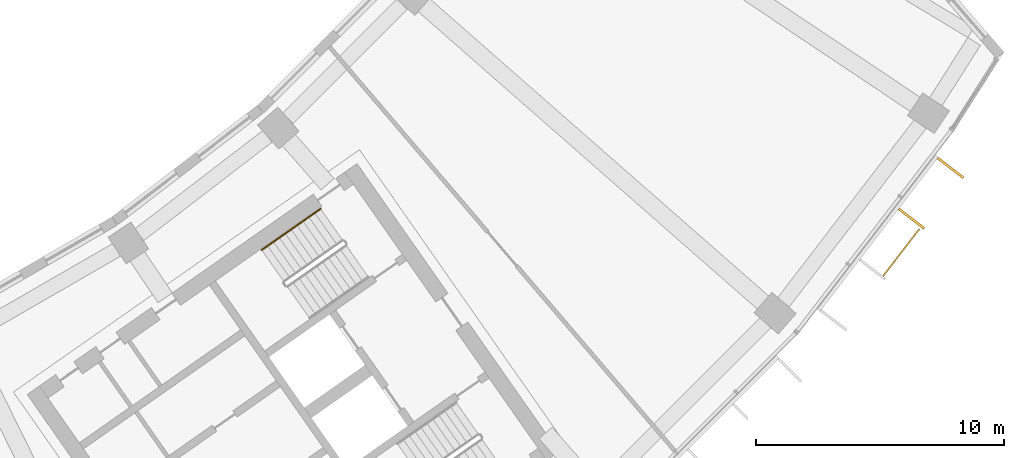
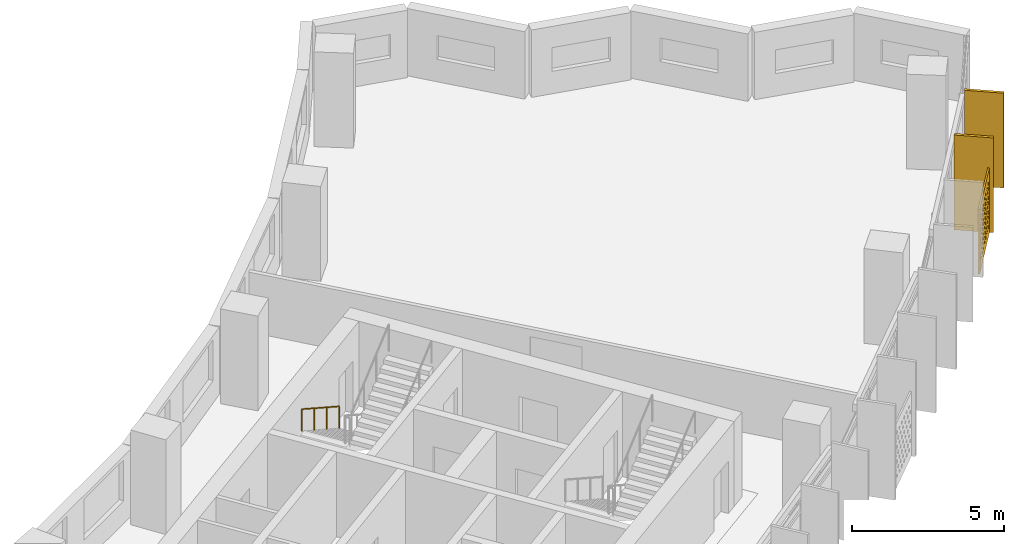
# One storey, part 27 of 27: 3 shading devices, 1 railing.
"""IFC4 building model written with IfcOpenShell, lengths in metres."""

from ifc_helpers import new_model, si_unit, direction, frame, origin, origin_2d, place, context, subcontext, project, spatial, polyline, rectangle, circle, outline, extrude, material, material_profile, profile_set, type_object, element, save


model = new_model("IFC4")

# Units and contexts
model_context = context("Model", 3, precision=1e-05, world=origin(), true_north=direction((0.0, 1.0)))
body_context = subcontext(model_context, "Body", "Model", "MODEL_VIEW")
ifc_project = project(units=[si_unit("LENGTHUNIT", "METRE"), si_unit("AREAUNIT", "SQUARE_METRE"), si_unit("VOLUMEUNIT", "CUBIC_METRE"), si_unit("PLANEANGLEUNIT", "RADIAN"), si_unit("MASSUNIT", "GRAM", prefix="KILO")], contexts=[model_context])

# Site, building, storey
site_placement = place(None, origin())
site = spatial("IfcSite", under=ifc_project, at=site_placement, CompositionType="ELEMENT")
building_placement = place(site_placement, origin())
building = spatial("IfcBuilding", under=site, at=building_placement, Name="Qamariyya Broadcast Tower", CompositionType="ELEMENT")
storey_placement = place(building_placement, frame((0.0, 0.0, 194.89990234375)))
storey = spatial("IfcBuildingStorey", under=building, at=storey_placement, Name="L46", CompositionType="ELEMENT", Elevation=194.89990234375)

# Shading device
ifc_material_1 = material(Name="Perforated glazed terracotta", Category="masonry")
ifc_material_profile_1 = material_profile(ifc_material_1, outline(polyline([(-1.199951171875, -1.300048828125), (1.199951171875, -1.300048828125), (1.199951171875, 1.300048828125), (-1.199951171875, 1.300048828125), (-1.199951171875, -1.300048828125)]), holes=[polyline([(-0.81494140625, -0.86669921875), (-0.89990234375, -0.78173828125), (-0.985107421875, -0.86669921875), (-0.89990234375, -0.95166015625), (-0.81494140625, -0.86669921875)]), polyline([(-0.514892578125, -0.86669921875), (-0.60009765625, -0.78173828125), (-0.68505859375, -0.86669921875), (-0.60009765625, -0.95166015625), (-0.514892578125, -0.86669921875)]), polyline([(-0.215087890625, -0.86669921875), (-0.300048828125, -0.78173828125), (-0.385009765625, -0.86669921875), (-0.300048828125, -0.95166015625), (-0.215087890625, -0.86669921875)]), polyline([(0.0849609375, -0.86669921875), (0.0, -0.78173828125), (-0.0849609375, -0.86669921875), (0.0, -0.95166015625), (0.0849609375, -0.86669921875)]), polyline([(0.385009765625, -0.86669921875), (0.300048828125, -0.78173828125), (0.215087890625, -0.86669921875), (0.300048828125, -0.95166015625), (0.385009765625, -0.86669921875)]), polyline([(0.68505859375, -0.86669921875), (0.60009765625, -0.78173828125), (0.514892578125, -0.86669921875), (0.60009765625, -0.95166015625), (0.68505859375, -0.86669921875)]), polyline([(0.985107421875, -0.86669921875), (0.89990234375, -0.78173828125), (0.81494140625, -0.86669921875), (0.89990234375, -0.95166015625), (0.985107421875, -0.86669921875)]), polyline([(-0.965087890625, -0.577880859375), (-1.050048828125, -0.49267578125), (-1.135009765625, -0.577880859375), (-1.050048828125, -0.662841796875), (-0.965087890625, -0.577880859375)]), polyline([(-0.6650390625, -0.577880859375), (-0.75, -0.49267578125), (-0.8349609375, -0.577880859375), (-0.75, -0.662841796875), (-0.6650390625, -0.577880859375)]), polyline([(-0.364990234375, -0.577880859375), (-0.449951171875, -0.49267578125), (-0.534912109375, -0.577880859375), (-0.449951171875, -0.662841796875), (-0.364990234375, -0.577880859375)]), polyline([(-0.06494140625, -0.577880859375), (-0.14990234375, -0.49267578125), (-0.235107421875, -0.577880859375), (-0.14990234375, -0.662841796875), (-0.06494140625, -0.577880859375)]), polyline([(0.235107421875, -0.577880859375), (0.14990234375, -0.49267578125), (0.06494140625, -0.577880859375), (0.14990234375, -0.662841796875), (0.235107421875, -0.577880859375)]), polyline([(0.534912109375, -0.577880859375), (0.449951171875, -0.49267578125), (0.364990234375, -0.577880859375), (0.449951171875, -0.662841796875), (0.534912109375, -0.577880859375)]), polyline([(0.8349609375, -0.577880859375), (0.75, -0.49267578125), (0.6650390625, -0.577880859375), (0.75, -0.662841796875), (0.8349609375, -0.577880859375)]), polyline([(1.135009765625, -0.577880859375), (1.050048828125, -0.49267578125), (0.965087890625, -0.577880859375), (1.050048828125, -0.662841796875), (1.135009765625, -0.577880859375)]), polyline([(-0.81494140625, -0.288818359375), (-0.89990234375, -0.203857421875), (-0.985107421875, -0.288818359375), (-0.89990234375, -0.373779296875), (-0.81494140625, -0.288818359375)]), polyline([(-0.514892578125, -0.288818359375), (-0.60009765625, -0.203857421875), (-0.68505859375, -0.288818359375), (-0.60009765625, -0.373779296875), (-0.514892578125, -0.288818359375)]), polyline([(-0.215087890625, -0.288818359375), (-0.300048828125, -0.203857421875), (-0.385009765625, -0.288818359375), (-0.300048828125, -0.373779296875), (-0.215087890625, -0.288818359375)]), polyline([(0.0849609375, -0.288818359375), (0.0, -0.203857421875), (-0.0849609375, -0.288818359375), (0.0, -0.373779296875), (0.0849609375, -0.288818359375)]), polyline([(0.385009765625, -0.288818359375), (0.300048828125, -0.203857421875), (0.215087890625, -0.288818359375), (0.300048828125, -0.373779296875), (0.385009765625, -0.288818359375)]), polyline([(0.68505859375, -0.288818359375), (0.60009765625, -0.203857421875), (0.514892578125, -0.288818359375), (0.60009765625, -0.373779296875), (0.68505859375, -0.288818359375)]), polyline([(0.985107421875, -0.288818359375), (0.89990234375, -0.203857421875), (0.81494140625, -0.288818359375), (0.89990234375, -0.373779296875), (0.985107421875, -0.288818359375)]), polyline([(-0.965087890625, 0.0), (-1.050048828125, 0.0849609375), (-1.135009765625, 0.0), (-1.050048828125, -0.0849609375), (-0.965087890625, 0.0)]), polyline([(-0.6650390625, 0.0), (-0.75, 0.0849609375), (-0.8349609375, 0.0), (-0.75, -0.0849609375), (-0.6650390625, 0.0)]), polyline([(-0.364990234375, 0.0), (-0.449951171875, 0.0849609375), (-0.534912109375, 0.0), (-0.449951171875, -0.0849609375), (-0.364990234375, 0.0)]), polyline([(-0.06494140625, 0.0), (-0.14990234375, 0.0849609375), (-0.235107421875, 0.0), (-0.14990234375, -0.0849609375), (-0.06494140625, 0.0)]), polyline([(0.235107421875, 0.0), (0.14990234375, 0.0849609375), (0.06494140625, 0.0), (0.14990234375, -0.0849609375), (0.235107421875, 0.0)]), polyline([(0.534912109375, 0.0), (0.449951171875, 0.0849609375), (0.364990234375, 0.0), (0.449951171875, -0.0849609375), (0.534912109375, 0.0)]), polyline([(0.8349609375, 0.0), (0.75, 0.0849609375), (0.6650390625, 0.0), (0.75, -0.0849609375), (0.8349609375, 0.0)]), polyline([(1.135009765625, 0.0), (1.050048828125, 0.0849609375), (0.965087890625, 0.0), (1.050048828125, -0.0849609375), (1.135009765625, 0.0)]), polyline([(-0.81494140625, 0.288818359375), (-0.89990234375, 0.373779296875), (-0.985107421875, 0.288818359375), (-0.89990234375, 0.203857421875), (-0.81494140625, 0.288818359375)]), polyline([(-0.514892578125, 0.288818359375), (-0.60009765625, 0.373779296875), (-0.68505859375, 0.288818359375), (-0.60009765625, 0.203857421875), (-0.514892578125, 0.288818359375)]), polyline([(-0.215087890625, 0.288818359375), (-0.300048828125, 0.373779296875), (-0.385009765625, 0.288818359375), (-0.300048828125, 0.203857421875), (-0.215087890625, 0.288818359375)]), polyline([(0.0849609375, 0.288818359375), (0.0, 0.373779296875), (-0.0849609375, 0.288818359375), (0.0, 0.203857421875), (0.0849609375, 0.288818359375)]), polyline([(0.385009765625, 0.288818359375), (0.300048828125, 0.373779296875), (0.215087890625, 0.288818359375), (0.300048828125, 0.203857421875), (0.385009765625, 0.288818359375)]), polyline([(0.68505859375, 0.288818359375), (0.60009765625, 0.373779296875), (0.514892578125, 0.288818359375), (0.60009765625, 0.203857421875), (0.68505859375, 0.288818359375)]), polyline([(0.985107421875, 0.288818359375), (0.89990234375, 0.373779296875), (0.81494140625, 0.288818359375), (0.89990234375, 0.203857421875), (0.985107421875, 0.288818359375)]), polyline([(-0.965087890625, 0.577880859375), (-1.050048828125, 0.662841796875), (-1.135009765625, 0.577880859375), (-1.050048828125, 0.49267578125), (-0.965087890625, 0.577880859375)]), polyline([(-0.6650390625, 0.577880859375), (-0.75, 0.662841796875), (-0.8349609375, 0.577880859375), (-0.75, 0.49267578125), (-0.6650390625, 0.577880859375)]), polyline([(-0.364990234375, 0.577880859375), (-0.449951171875, 0.662841796875), (-0.534912109375, 0.577880859375), (-0.449951171875, 0.49267578125), (-0.364990234375, 0.577880859375)]), polyline([(-0.06494140625, 0.577880859375), (-0.14990234375, 0.662841796875), (-0.235107421875, 0.577880859375), (-0.14990234375, 0.49267578125), (-0.06494140625, 0.577880859375)]), polyline([(0.235107421875, 0.577880859375), (0.14990234375, 0.662841796875), (0.06494140625, 0.577880859375), (0.14990234375, 0.49267578125), (0.235107421875, 0.577880859375)]), polyline([(0.534912109375, 0.577880859375), (0.449951171875, 0.662841796875), (0.364990234375, 0.577880859375), (0.449951171875, 0.49267578125), (0.534912109375, 0.577880859375)]), polyline([(0.8349609375, 0.577880859375), (0.75, 0.662841796875), (0.6650390625, 0.577880859375), (0.75, 0.49267578125), (0.8349609375, 0.577880859375)]), polyline([(1.135009765625, 0.577880859375), (1.050048828125, 0.662841796875), (0.965087890625, 0.577880859375), (1.050048828125, 0.49267578125), (1.135009765625, 0.577880859375)]), polyline([(-0.81494140625, 0.86669921875), (-0.89990234375, 0.95166015625), (-0.985107421875, 0.86669921875), (-0.89990234375, 0.78173828125), (-0.81494140625, 0.86669921875)]), polyline([(-0.514892578125, 0.86669921875), (-0.60009765625, 0.95166015625), (-0.68505859375, 0.86669921875), (-0.60009765625, 0.78173828125), (-0.514892578125, 0.86669921875)]), polyline([(-0.215087890625, 0.86669921875), (-0.300048828125, 0.95166015625), (-0.385009765625, 0.86669921875), (-0.300048828125, 0.78173828125), (-0.215087890625, 0.86669921875)]), polyline([(0.0849609375, 0.86669921875), (0.0, 0.95166015625), (-0.0849609375, 0.86669921875), (0.0, 0.78173828125), (0.0849609375, 0.86669921875)]), polyline([(0.385009765625, 0.86669921875), (0.300048828125, 0.95166015625), (0.215087890625, 0.86669921875), (0.300048828125, 0.78173828125), (0.385009765625, 0.86669921875)]), polyline([(0.68505859375, 0.86669921875), (0.60009765625, 0.95166015625), (0.514892578125, 0.86669921875), (0.60009765625, 0.78173828125), (0.68505859375, 0.86669921875)]), polyline([(0.985107421875, 0.86669921875), (0.89990234375, 0.95166015625), (0.81494140625, 0.86669921875), (0.89990234375, 0.78173828125), (0.985107421875, 0.86669921875)])]))
ifc_profile_set_1 = profile_set([ifc_material_profile_1], Name="Perforated glazed terracotta")
shading_device_type_1 = type_object("IfcShadingDeviceType", Name="Perforated terracotta screen 2400 x 2600", PredefinedType="USERDEFINED", material=ifc_profile_set_1)
shading_device_placement = place(storey_placement, frame((63.52294921875, -48.79541015625, 1.35009765625), z_axis=(0.792623989105, -0.60971076085, 0.0), x_axis=(0.60971076085, 0.792623989105, 0.0)))
element("IfcShadingDevice", 1, at=shading_device_placement, inside=storey, type_object=shading_device_type_1, Name="e-scr-L46-14-1", ObjectType="SCREEN", PredefinedType="USERDEFINED", context=body_context, shape_type="SweptSolid", body=[
    extrude(outline(polyline([(-1.199951171875, -1.300048828125), (1.199951171875, -1.300048828125), (1.199951171875, 1.300048828125), (-1.199951171875, 1.300048828125), (-1.199951171875, -1.300048828125)]), holes=[polyline([(-0.81494140625, -0.86669921875), (-0.89990234375, -0.78173828125), (-0.985107421875, -0.86669921875), (-0.89990234375, -0.95166015625), (-0.81494140625, -0.86669921875)]), polyline([(-0.514892578125, -0.86669921875), (-0.60009765625, -0.78173828125), (-0.68505859375, -0.86669921875), (-0.60009765625, -0.95166015625), (-0.514892578125, -0.86669921875)]), polyline([(-0.215087890625, -0.86669921875), (-0.300048828125, -0.78173828125), (-0.385009765625, -0.86669921875), (-0.300048828125, -0.95166015625), (-0.215087890625, -0.86669921875)]), polyline([(0.0849609375, -0.86669921875), (0.0, -0.78173828125), (-0.0849609375, -0.86669921875), (0.0, -0.95166015625), (0.0849609375, -0.86669921875)]), polyline([(0.385009765625, -0.86669921875), (0.300048828125, -0.78173828125), (0.215087890625, -0.86669921875), (0.300048828125, -0.95166015625), (0.385009765625, -0.86669921875)]), polyline([(0.68505859375, -0.86669921875), (0.60009765625, -0.78173828125), (0.514892578125, -0.86669921875), (0.60009765625, -0.95166015625), (0.68505859375, -0.86669921875)]), polyline([(0.985107421875, -0.86669921875), (0.89990234375, -0.78173828125), (0.81494140625, -0.86669921875), (0.89990234375, -0.95166015625), (0.985107421875, -0.86669921875)]), polyline([(-0.965087890625, -0.577880859375), (-1.050048828125, -0.49267578125), (-1.135009765625, -0.577880859375), (-1.050048828125, -0.662841796875), (-0.965087890625, -0.577880859375)]), polyline([(-0.6650390625, -0.577880859375), (-0.75, -0.49267578125), (-0.8349609375, -0.577880859375), (-0.75, -0.662841796875), (-0.6650390625, -0.577880859375)]), polyline([(-0.364990234375, -0.577880859375), (-0.449951171875, -0.49267578125), (-0.534912109375, -0.577880859375), (-0.449951171875, -0.662841796875), (-0.364990234375, -0.577880859375)]), polyline([(-0.06494140625, -0.577880859375), (-0.14990234375, -0.49267578125), (-0.235107421875, -0.577880859375), (-0.14990234375, -0.662841796875), (-0.06494140625, -0.577880859375)]), polyline([(0.235107421875, -0.577880859375), (0.14990234375, -0.49267578125), (0.06494140625, -0.577880859375), (0.14990234375, -0.662841796875), (0.235107421875, -0.577880859375)]), polyline([(0.534912109375, -0.577880859375), (0.449951171875, -0.49267578125), (0.364990234375, -0.577880859375), (0.449951171875, -0.662841796875), (0.534912109375, -0.577880859375)]), polyline([(0.8349609375, -0.577880859375), (0.75, -0.49267578125), (0.6650390625, -0.577880859375), (0.75, -0.662841796875), (0.8349609375, -0.577880859375)]), polyline([(1.135009765625, -0.577880859375), (1.050048828125, -0.49267578125), (0.965087890625, -0.577880859375), (1.050048828125, -0.662841796875), (1.135009765625, -0.577880859375)]), polyline([(-0.81494140625, -0.288818359375), (-0.89990234375, -0.203857421875), (-0.985107421875, -0.288818359375), (-0.89990234375, -0.373779296875), (-0.81494140625, -0.288818359375)]), polyline([(-0.514892578125, -0.288818359375), (-0.60009765625, -0.203857421875), (-0.68505859375, -0.288818359375), (-0.60009765625, -0.373779296875), (-0.514892578125, -0.288818359375)]), polyline([(-0.215087890625, -0.288818359375), (-0.300048828125, -0.203857421875), (-0.385009765625, -0.288818359375), (-0.300048828125, -0.373779296875), (-0.215087890625, -0.288818359375)]), polyline([(0.0849609375, -0.288818359375), (0.0, -0.203857421875), (-0.0849609375, -0.288818359375), (0.0, -0.373779296875), (0.0849609375, -0.288818359375)]), polyline([(0.385009765625, -0.288818359375), (0.300048828125, -0.203857421875), (0.215087890625, -0.288818359375), (0.300048828125, -0.373779296875), (0.385009765625, -0.288818359375)]), polyline([(0.68505859375, -0.288818359375), (0.60009765625, -0.203857421875), (0.514892578125, -0.288818359375), (0.60009765625, -0.373779296875), (0.68505859375, -0.288818359375)]), polyline([(0.985107421875, -0.288818359375), (0.89990234375, -0.203857421875), (0.81494140625, -0.288818359375), (0.89990234375, -0.373779296875), (0.985107421875, -0.288818359375)]), polyline([(-0.965087890625, 0.0), (-1.050048828125, 0.0849609375), (-1.135009765625, 0.0), (-1.050048828125, -0.0849609375), (-0.965087890625, 0.0)]), polyline([(-0.6650390625, 0.0), (-0.75, 0.0849609375), (-0.8349609375, 0.0), (-0.75, -0.0849609375), (-0.6650390625, 0.0)]), polyline([(-0.364990234375, 0.0), (-0.449951171875, 0.0849609375), (-0.534912109375, 0.0), (-0.449951171875, -0.0849609375), (-0.364990234375, 0.0)]), polyline([(-0.06494140625, 0.0), (-0.14990234375, 0.0849609375), (-0.235107421875, 0.0), (-0.14990234375, -0.0849609375), (-0.06494140625, 0.0)]), polyline([(0.235107421875, 0.0), (0.14990234375, 0.0849609375), (0.06494140625, 0.0), (0.14990234375, -0.0849609375), (0.235107421875, 0.0)]), polyline([(0.534912109375, 0.0), (0.449951171875, 0.0849609375), (0.364990234375, 0.0), (0.449951171875, -0.0849609375), (0.534912109375, 0.0)]), polyline([(0.8349609375, 0.0), (0.75, 0.0849609375), (0.6650390625, 0.0), (0.75, -0.0849609375), (0.8349609375, 0.0)]), polyline([(1.135009765625, 0.0), (1.050048828125, 0.0849609375), (0.965087890625, 0.0), (1.050048828125, -0.0849609375), (1.135009765625, 0.0)]), polyline([(-0.81494140625, 0.288818359375), (-0.89990234375, 0.373779296875), (-0.985107421875, 0.288818359375), (-0.89990234375, 0.203857421875), (-0.81494140625, 0.288818359375)]), polyline([(-0.514892578125, 0.288818359375), (-0.60009765625, 0.373779296875), (-0.68505859375, 0.288818359375), (-0.60009765625, 0.203857421875), (-0.514892578125, 0.288818359375)]), polyline([(-0.215087890625, 0.288818359375), (-0.300048828125, 0.373779296875), (-0.385009765625, 0.288818359375), (-0.300048828125, 0.203857421875), (-0.215087890625, 0.288818359375)]), polyline([(0.0849609375, 0.288818359375), (0.0, 0.373779296875), (-0.0849609375, 0.288818359375), (0.0, 0.203857421875), (0.0849609375, 0.288818359375)]), polyline([(0.385009765625, 0.288818359375), (0.300048828125, 0.373779296875), (0.215087890625, 0.288818359375), (0.300048828125, 0.203857421875), (0.385009765625, 0.288818359375)]), polyline([(0.68505859375, 0.288818359375), (0.60009765625, 0.373779296875), (0.514892578125, 0.288818359375), (0.60009765625, 0.203857421875), (0.68505859375, 0.288818359375)]), polyline([(0.985107421875, 0.288818359375), (0.89990234375, 0.373779296875), (0.81494140625, 0.288818359375), (0.89990234375, 0.203857421875), (0.985107421875, 0.288818359375)]), polyline([(-0.965087890625, 0.577880859375), (-1.050048828125, 0.662841796875), (-1.135009765625, 0.577880859375), (-1.050048828125, 0.49267578125), (-0.965087890625, 0.577880859375)]), polyline([(-0.6650390625, 0.577880859375), (-0.75, 0.662841796875), (-0.8349609375, 0.577880859375), (-0.75, 0.49267578125), (-0.6650390625, 0.577880859375)]), polyline([(-0.364990234375, 0.577880859375), (-0.449951171875, 0.662841796875), (-0.534912109375, 0.577880859375), (-0.449951171875, 0.49267578125), (-0.364990234375, 0.577880859375)]), polyline([(-0.06494140625, 0.577880859375), (-0.14990234375, 0.662841796875), (-0.235107421875, 0.577880859375), (-0.14990234375, 0.49267578125), (-0.06494140625, 0.577880859375)]), polyline([(0.235107421875, 0.577880859375), (0.14990234375, 0.662841796875), (0.06494140625, 0.577880859375), (0.14990234375, 0.49267578125), (0.235107421875, 0.577880859375)]), polyline([(0.534912109375, 0.577880859375), (0.449951171875, 0.662841796875), (0.364990234375, 0.577880859375), (0.449951171875, 0.49267578125), (0.534912109375, 0.577880859375)]), polyline([(0.8349609375, 0.577880859375), (0.75, 0.662841796875), (0.6650390625, 0.577880859375), (0.75, 0.49267578125), (0.8349609375, 0.577880859375)]), polyline([(1.135009765625, 0.577880859375), (1.050048828125, 0.662841796875), (0.965087890625, 0.577880859375), (1.050048828125, 0.49267578125), (1.135009765625, 0.577880859375)]), polyline([(-0.81494140625, 0.86669921875), (-0.89990234375, 0.95166015625), (-0.985107421875, 0.86669921875), (-0.89990234375, 0.78173828125), (-0.81494140625, 0.86669921875)]), polyline([(-0.514892578125, 0.86669921875), (-0.60009765625, 0.95166015625), (-0.68505859375, 0.86669921875), (-0.60009765625, 0.78173828125), (-0.514892578125, 0.86669921875)]), polyline([(-0.215087890625, 0.86669921875), (-0.300048828125, 0.95166015625), (-0.385009765625, 0.86669921875), (-0.300048828125, 0.78173828125), (-0.215087890625, 0.86669921875)]), polyline([(0.0849609375, 0.86669921875), (0.0, 0.95166015625), (-0.0849609375, 0.86669921875), (0.0, 0.78173828125), (0.0849609375, 0.86669921875)]), polyline([(0.385009765625, 0.86669921875), (0.300048828125, 0.95166015625), (0.215087890625, 0.86669921875), (0.300048828125, 0.78173828125), (0.385009765625, 0.86669921875)]), polyline([(0.68505859375, 0.86669921875), (0.60009765625, 0.95166015625), (0.514892578125, 0.86669921875), (0.60009765625, 0.78173828125), (0.68505859375, 0.86669921875)]), polyline([(0.985107421875, 0.86669921875), (0.89990234375, 0.95166015625), (0.81494140625, 0.86669921875), (0.89990234375, 0.78173828125), (0.985107421875, 0.86669921875)])]), origin(), (0.0, 0.0, 1.0), 0.06005859375),
])

# Railing
ifc_material_2 = material(Name="Stainless steel", Category="steel")
railing_type = type_object("IfcRailingType", Name="Stair handrail", PredefinedType="HANDRAIL", material=ifc_material_2)
railing_placement = place(storey_placement, frame((40.1142578125, -47.05029296875, 0.1728515625)))
element("IfcRailing", 2, at=railing_placement, inside=storey, type_object=railing_type, Name="L46 ST-E2 stair handrail 1", PredefinedType="HANDRAIL", context=body_context, shape_type="SweptSolid", body=[
    extrude(circle(Radius=0.02392578125, at=origin_2d()), frame((0.0, 0.0, 0.8759765625), z_axis=(-0.703745009021, -0.492838488332, 0.511715923826), x_axis=(0.573631830683, -0.819113253969, 0.0)), (0.0, 0.0, 1.0), 3.37548828125),
    extrude(circle(Radius=0.02099609375, at=origin_2d()), origin(), (0.0, 0.0, 1.0), 0.851806640625),
    extrude(circle(Radius=0.02099609375, at=origin_2d()), frame((-0.791748046875, -0.554443359375, 0.57568359375)), (0.0, 0.0, 1.0), 0.851806640625),
    extrude(circle(Radius=0.02099609375, at=origin_2d()), frame((-1.583740234375, -1.109130859375, 1.151611328125)), (0.0, 0.0, 1.0), 0.851806640625),
    extrude(circle(Radius=0.02099609375, at=origin_2d()), frame((-2.37548828125, -1.66357421875, 1.727294921875)), (0.0, 0.0, 1.0), 0.851806640625),
])

# Shading devices
ifc_material_3 = material(Name="Glazed terracotta", Category="masonry")
ifc_material_profile_2 = material_profile(ifc_material_3, rectangle(XDim=1.300048828125, YDim=0.10009765625, at=origin_2d()))
ifc_profile_set_2 = profile_set([ifc_material_profile_2], Name="Glazed terracotta")
shading_device_type_2 = type_object("IfcShadingDeviceType", Name="Terracotta fin 100 x 1300", PredefinedType="USERDEFINED", material=ifc_profile_set_2)
for number, where, z_axis, x_axis, name in (
    (3, (63.961669921875, -47.451416015625, 0.0), (0.0, 0.0, 1.0), (0.793353340291, -0.608761429009, 0.0), "e-fin-L46-14-2"),
    (4, (65.534423828125, -45.40185546875, 0.0), (0.0, 0.0, 1.0), (0.793353340291, -0.608761429009, 0.0), "e-fin-L46-14-3"),
):
    element("IfcShadingDevice", number, at=place(storey_placement, frame(where, z_axis=z_axis, x_axis=x_axis)), inside=storey, type_object=shading_device_type_2, Name=name, ObjectType="FIN", PredefinedType="USERDEFINED", context=body_context, shape_type="SweptSolid", body=[
        extrude(rectangle(XDim=1.300048828125, YDim=0.10009765625, at=origin_2d()), origin(), (0.0, 0.0, 1.0), 3.800048828125),
    ])

save(model, "model.ifc")
